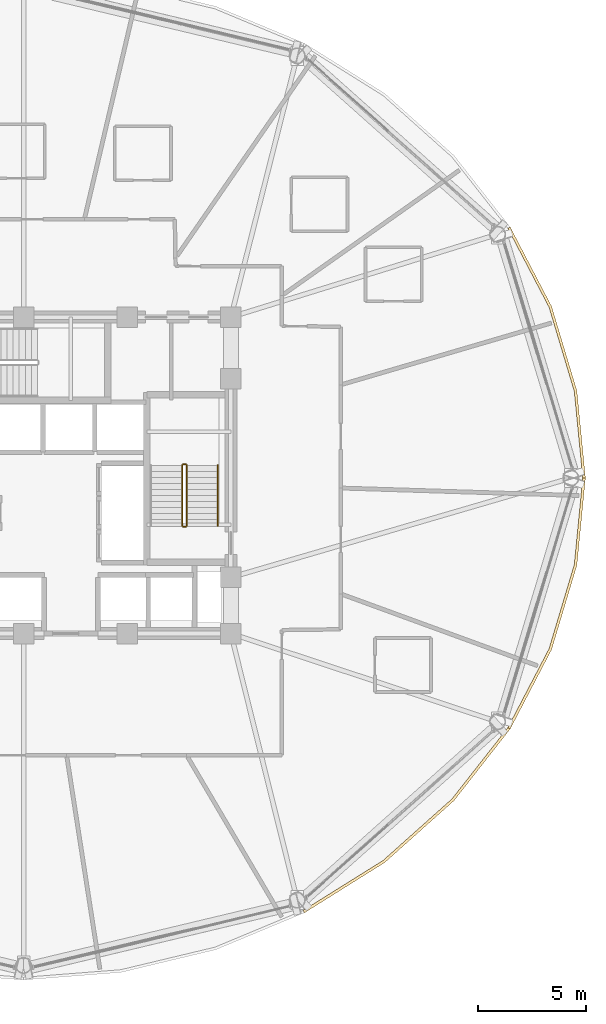
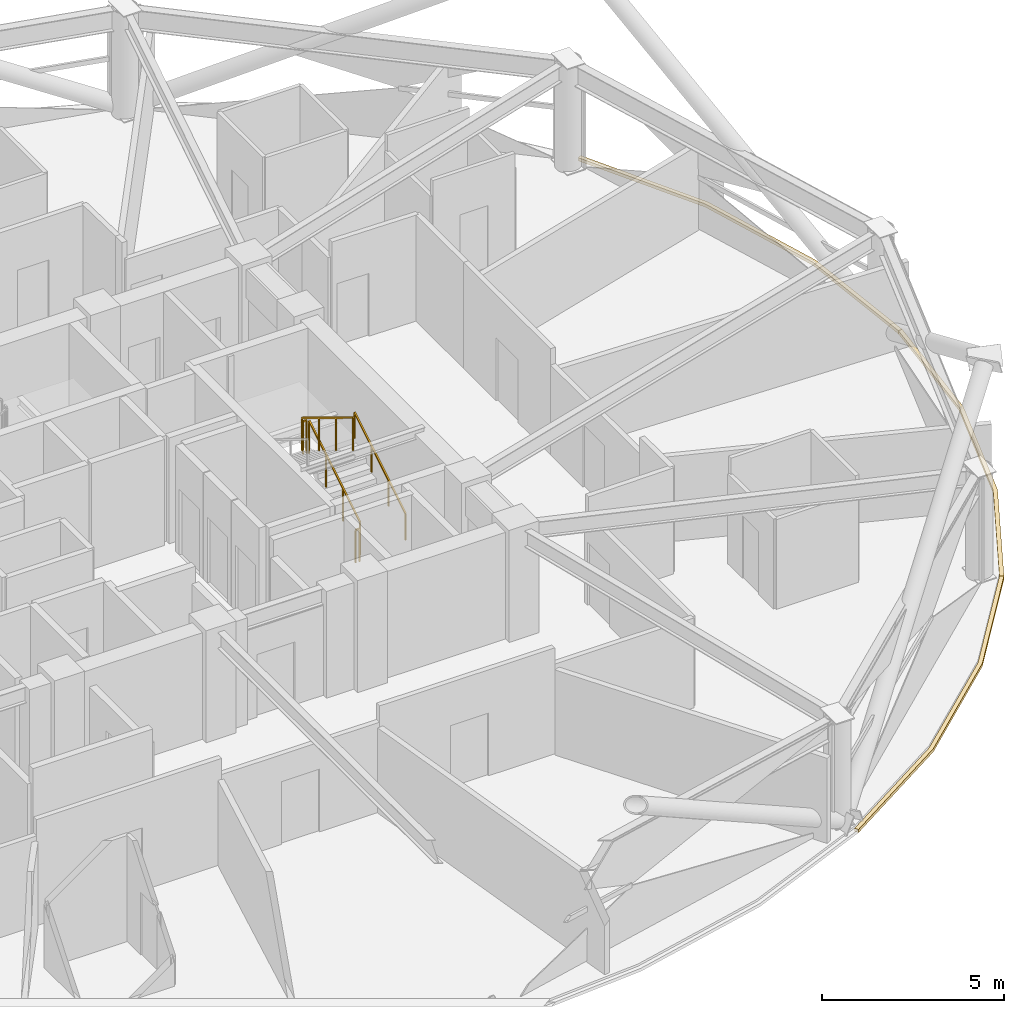
# One storey, part 29 of 30: 5 railings, 3 coverings.
"""IFC4 building model written with IfcOpenShell, lengths in metres."""

from ifc_helpers import new_model, si_unit, direction, frame, origin, origin_2d, place, context, subcontext, project, spatial, polyline, rectangle, outline, extrude, material, layer, layer_set, type_object, element, save


model = new_model("IFC4")

# Units and contexts
model_context = context("Model", 3, precision=1e-05, world=origin(), true_north=direction((0.0, 1.0)))
body_context = subcontext(model_context, "Body", "Model", "MODEL_VIEW")
ifc_project = project(units=[si_unit("LENGTHUNIT", "METRE"), si_unit("AREAUNIT", "SQUARE_METRE"), si_unit("VOLUMEUNIT", "CUBIC_METRE"), si_unit("PLANEANGLEUNIT", "RADIAN"), si_unit("MASSUNIT", "GRAM", prefix="KILO")], contexts=[model_context])

# Site, building, storey
site_placement = place(None, origin())
site = spatial("IfcSite", under=ifc_project, at=site_placement, CompositionType="ELEMENT")
building_placement = place(site_placement, origin())
building = spatial("IfcBuilding", under=site, at=building_placement, Name="Vantalir Tower", CompositionType="ELEMENT")
storey_placement = place(building_placement, frame((0.0, 0.0, 119.699951171875)))
storey = spatial("IfcBuildingStorey", under=building, at=storey_placement, Name="L29", CompositionType="ELEMENT", Elevation=119.699951171875)

# Coverings
ifc_material_1 = material(Name="Anodised champagne aluminium sill fascia", Category="aluminium")
ifc_layer = layer(ifc_material_1, 0.125)
ifc_layer_set = layer_set([ifc_layer], Name="Anodised champagne aluminium sill fascia")
covering_type = type_object("IfcCoveringType", Name="COV-SLAB-FASCIA-125", PredefinedType="CLADDING", material=ifc_layer_set)
covering_1_placement = place(storey_placement, frame((0.0, 0.0, -0.179931640625)))
element("IfcCovering", 1, at=covering_1_placement, inside=storey, type_object=covering_type, Name="L29 Perimeter Slab-Edge Sill Fascia 01", PredefinedType="CLADDING", context=body_context, shape_type="SweptSolid", body=[
    extrude(outline(polyline([(57.514892578125, 25.0), (57.1201171875, 29.035888671875), (55.946044921875, 32.948974609375), (54.030029296875, 36.6201171875), (53.9208984375, 36.55810546875), (55.8291015625, 32.906005859375), (56.9970703125, 29.013916015625), (57.389892578125, 25.0), (57.514892578125, 25.0)])), origin(), (0.0, 0.0, 1.0), 0.10498046875),
])
covering_2_placement = place(storey_placement, frame((0.0, 0.0, -0.179931640625)))
element("IfcCovering", 2, at=covering_2_placement, inside=storey, type_object=covering_type, Name="L29 Perimeter Slab-Edge Sill Fascia 11", PredefinedType="CLADDING", context=body_context, shape_type="SweptSolid", body=[
    extrude(outline(polyline([(44.508056640625, 4.873046875), (48.221923828125, 7.196044921875), (51.428955078125, 10.06103515625), (54.030029296875, 13.37890625), (53.9208984375, 13.44189453125), (51.3330078125, 10.14111328125), (48.14208984375, 7.2919921875), (44.445068359375, 4.98095703125), (44.508056640625, 4.873046875)])), origin(), (0.0, 0.0, 1.0), 0.10498046875),
])
covering_3_placement = place(storey_placement, frame((0.0, 0.0, -0.179931640625)))
element("IfcCovering", 3, at=covering_3_placement, inside=storey, type_object=covering_type, Name="L29 Perimeter Slab-Edge Sill Fascia 12", PredefinedType="CLADDING", context=body_context, shape_type="SweptSolid", body=[
    extrude(outline(polyline([(54.030029296875, 13.37890625), (55.946044921875, 17.051025390625), (57.1201171875, 20.964111328125), (57.514892578125, 25.0), (57.389892578125, 25.0), (56.9970703125, 20.986083984375), (55.8291015625, 17.093994140625), (53.9208984375, 13.44189453125), (54.030029296875, 13.37890625)])), origin(), (0.0, 0.0, 1.0), 0.10498046875),
])

# Railings
ifc_material_2 = material(Name="Anodised aluminium and stainless steel guard", Category="steel")
railing_type_1 = type_object("IfcRailingType", Name="RAL-GUARD-1120", PredefinedType="GUARDRAIL", material=ifc_material_2)
railing_1_placement = place(storey_placement, frame((39.06005859375, 22.7900390625, 0.17041015625)))
element("IfcRailing", 4, at=railing_1_placement, inside=storey, type_object=railing_type_1, Name="L29 ST2 stair guard 1", PredefinedType="GUARDRAIL", context=body_context, shape_type="SweptSolid", body=[
    extrude(rectangle(XDim=0.048095703125, YDim=0.048095703125, at=origin_2d()), frame((0.0, 0.0, 1.09619140625), z_axis=(0.0, 0.854169791009, 0.51999420009), x_axis=(-1.0, 0.0, 0.0)), (0.0, 0.0, 1.0), 3.278076171875),
    extrude(rectangle(XDim=0.0419921875, YDim=0.0419921875, at=origin_2d()), origin(), (0.0, 0.0, 1.0), 1.072021484375),
    extrude(rectangle(XDim=0.0419921875, YDim=0.0419921875, at=origin_2d()), frame((0.0, 0.933349609375, 0.568115234375)), (0.0, 0.0, 1.0), 1.072021484375),
    extrude(rectangle(XDim=0.0419921875, YDim=0.0419921875, at=origin_2d()), frame((0.0, 1.86669921875, 1.136474609375)), (0.0, 0.0, 1.0), 1.072021484375),
    extrude(rectangle(XDim=0.0419921875, YDim=0.0419921875, at=origin_2d()), frame((0.0, 2.800048828125, 1.70458984375)), (0.0, 0.0, 1.0), 1.072021484375),
])
railing_2_placement = place(storey_placement, frame((39.010009765625, 25.639892578125, 1.875)))
element("IfcRailing", 5, at=railing_2_placement, inside=storey, type_object=railing_type_1, Name="L29 ST2 stair guard 2", PredefinedType="GUARDRAIL", context=body_context, shape_type="SweptSolid", body=[
    extrude(rectangle(XDim=0.048095703125, YDim=0.048095703125, at=origin_2d()), frame((0.0, 0.0, 1.09619140625), z_axis=(-1.0, 0.0, 0.0), x_axis=(0.0, -1.0, 0.0)), (0.0, 0.0, 1.0), 0.1201171875),
    extrude(rectangle(XDim=0.0419921875, YDim=0.0419921875, at=origin_2d()), origin(), (0.0, 0.0, 1.0), 1.072021484375),
    extrude(rectangle(XDim=0.0419921875, YDim=0.0419921875, at=origin_2d()), frame((-0.1201171875, 0.0, 0.0)), (0.0, 0.0, 1.0), 1.072021484375),
])
railing_3_placement = place(storey_placement, frame((38.840087890625, 25.590087890625, 2.04541015625)))
element("IfcRailing", 6, at=railing_3_placement, inside=storey, type_object=railing_type_1, Name="L29 ST2 stair guard 3", PredefinedType="GUARDRAIL", context=body_context, shape_type="SweptSolid", body=[
    extrude(rectangle(XDim=0.048095703125, YDim=0.048095703125, at=origin_2d()), frame((0.0, 0.0, 1.09619140625), z_axis=(0.0, -0.854169791009, 0.51999420009), x_axis=(1.0, 0.0, 0.0)), (0.0, 0.0, 1.0), 3.278076171875),
    extrude(rectangle(XDim=0.0419921875, YDim=0.0419921875, at=origin_2d()), origin(), (0.0, 0.0, 1.0), 1.072021484375),
    extrude(rectangle(XDim=0.0419921875, YDim=0.0419921875, at=origin_2d()), frame((0.0, -0.933349609375, 0.568115234375)), (0.0, 0.0, 1.0), 1.072021484375),
    extrude(rectangle(XDim=0.0419921875, YDim=0.0419921875, at=origin_2d()), frame((0.0, -1.86669921875, 1.136474609375)), (0.0, 0.0, 1.0), 1.072021484375),
    extrude(rectangle(XDim=0.0419921875, YDim=0.0419921875, at=origin_2d()), frame((0.0, -2.800048828125, 1.70458984375)), (0.0, 0.0, 1.0), 1.072021484375),
])
railing_4_placement = place(storey_placement, frame((39.010009765625, 22.739990234375, 0.0)))
element("IfcRailing", 7, at=railing_4_placement, inside=storey, type_object=railing_type_1, Name="L29 ST2 stair guard 4", PredefinedType="GUARDRAIL", context=body_context, shape_type="SweptSolid", body=[
    extrude(rectangle(XDim=0.048095703125, YDim=0.048095703125, at=origin_2d()), frame((0.0, 0.0, 1.09619140625), z_axis=(-1.0, 0.0, 0.0), x_axis=(0.0, -1.0, 0.0)), (0.0, 0.0, 1.0), 0.1201171875),
    extrude(rectangle(XDim=0.0419921875, YDim=0.0419921875, at=origin_2d()), origin(), (0.0, 0.0, 1.0), 1.072021484375),
    extrude(rectangle(XDim=0.0419921875, YDim=0.0419921875, at=origin_2d()), frame((-0.1201171875, 0.0, 0.0)), (0.0, 0.0, 1.0), 1.072021484375),
])
ifc_material_3 = material(Name="Brushed stainless steel tubular handrail", Category="steel")
railing_type_2 = type_object("IfcRailingType", Name="RAL-HANDRAIL-900", PredefinedType="HANDRAIL", material=ifc_material_3)
railing_5_placement = place(storey_placement, frame((40.5, 22.7900390625, 0.17041015625)))
element("IfcRailing", 8, at=railing_5_placement, inside=storey, type_object=railing_type_2, Name="L29 ST2 stair handrail 1", PredefinedType="HANDRAIL", context=body_context, shape_type="SweptSolid", body=[
    extrude(rectangle(XDim=0.048095703125, YDim=0.048095703125, at=origin_2d()), frame((0.0, 0.0, 0.8759765625), z_axis=(0.0, 0.854169791009, 0.51999420009), x_axis=(-1.0, 0.0, 0.0)), (0.0, 0.0, 1.0), 3.278076171875),
    extrude(rectangle(XDim=0.0419921875, YDim=0.0419921875, at=origin_2d()), origin(), (0.0, 0.0, 1.0), 0.851806640625),
    extrude(rectangle(XDim=0.0419921875, YDim=0.0419921875, at=origin_2d()), frame((0.0, 0.933349609375, 0.568115234375)), (0.0, 0.0, 1.0), 0.851806640625),
    extrude(rectangle(XDim=0.0419921875, YDim=0.0419921875, at=origin_2d()), frame((0.0, 1.86669921875, 1.136474609375)), (0.0, 0.0, 1.0), 0.851806640625),
    extrude(rectangle(XDim=0.0419921875, YDim=0.0419921875, at=origin_2d()), frame((0.0, 2.800048828125, 1.70458984375)), (0.0, 0.0, 1.0), 0.851806640625),
])

save(model, "model.ifc")
